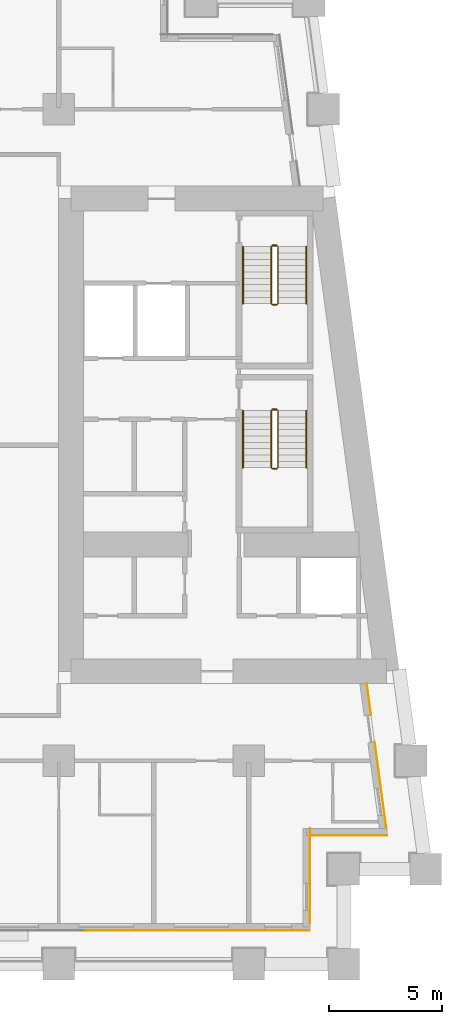
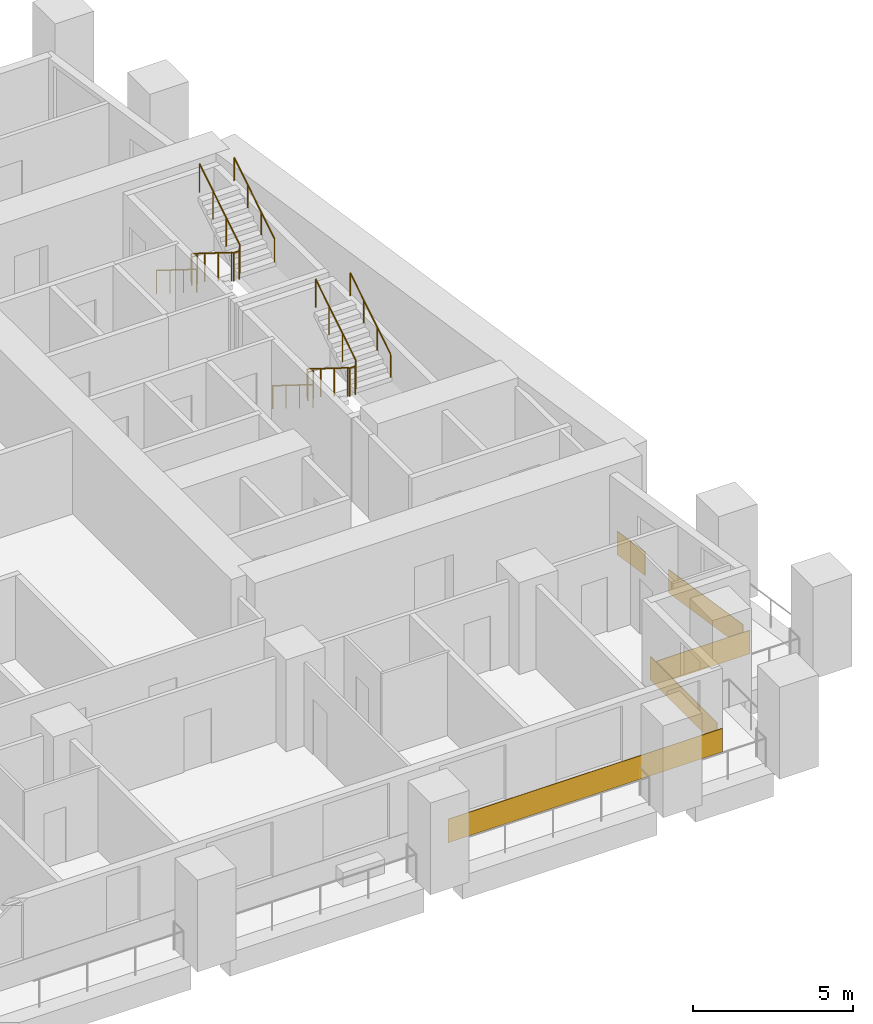
# One storey, part 11 of 13: 8 railings, 5 coverings.
"""IFC4 building model written with IfcOpenShell, lengths in metres."""

import ifcopenshell
import ifcopenshell.guid

model = None  # the IFC model being written
_history = None  # IfcOwnerHistory: only IFC2X3 demands one
_inside = {}  # id of a spatial element -> (the spatial element, [elements in it])
_under = {}  # id of a project, library or spatial element -> (it, [spatial elements below it])
_declared = {}  # id of a project -> (the project, [libraries it declares])
_typed = {}  # id of a type object -> (the type object, [elements of that type])
_made_of = {}  # id of a material, layer set ... -> (it, [elements and type objects made of it])


def new_model(schema):
    """Start an empty IFC model of exactly this schema.

    Asked for "IFC4X3", IfcOpenShell would pick the latest addendum, in which some entities
    have other attributes; the version numbers below select the first issue.
    IFC2X3 requires an IfcOwnerHistory on every rooted entity: one is made here for all.
    """
    global model, _history
    if schema == "IFC4X3":
        model = ifcopenshell.file(schema_version=(4, 3, 0, 0))
    else:
        model = ifcopenshell.file(schema=schema)
    _inside.clear()
    _under.clear()
    _declared.clear()
    _typed.clear()
    _made_of.clear()
    _history = None
    if model.schema == "IFC2X3":
        org = make("IfcOrganization", Name="unknown")
        user = make(
            "IfcPersonAndOrganization",
            ThePerson=make("IfcPerson", FamilyName="unknown"),
            TheOrganization=org,
        )
        app = make(
            "IfcApplication",
            ApplicationDeveloper=org,
            Version="unknown",
            ApplicationFullName="unknown",
            ApplicationIdentifier="unknown",
        )
        _history = make(
            "IfcOwnerHistory",
            OwningUser=user,
            OwningApplication=app,
            ChangeAction="ADDED",
            CreationDate=0,
        )
    return model


def make(cls, **values):
    """One entity of the class cls with the attributes given. An attribute that is None is left unset."""
    return model.create_entity(
        cls, **{name: value for name, value in values.items() if value is not None}
    )


def rooted(cls, **values):
    """An entity with a GlobalId (a new one), such as an element, a storey or a relation."""
    return make(cls, GlobalId=ifcopenshell.guid.new(), OwnerHistory=_history, **values)


def si_unit(unit_type, name, prefix=None):
    """IfcSIUnit, for example si_unit("LENGTHUNIT", "METRE", prefix="MILLI")."""
    return make("IfcSIUnit", UnitType=unit_type, Prefix=prefix, Name=name)


def assignment(units):
    """IfcUnitAssignment: the units of a project."""
    return None if units is None else make("IfcUnitAssignment", Units=units)


def point(xyz):
    """IfcCartesianPoint."""
    return None if xyz is None else make("IfcCartesianPoint", Coordinates=xyz)


def direction(xyz):
    """IfcDirection."""
    return None if xyz is None else make("IfcDirection", DirectionRatios=xyz)


def frame(location, z_axis=None, x_axis=None):
    """IfcAxis2Placement3D, a coordinate frame: its origin and axes. An axis left out is left unset."""
    return make(
        "IfcAxis2Placement3D",
        Location=point(location),
        Axis=direction(z_axis),
        RefDirection=direction(x_axis),
    )


def frame_2d(location, x_axis=None):
    """IfcAxis2Placement2D, a coordinate frame in the plane: its origin and x axis."""
    return make(
        "IfcAxis2Placement2D", Location=point(location), RefDirection=direction(x_axis)
    )


def origin():
    """The frame at (0, 0, 0) with its axes left unset."""
    return frame((0.0, 0.0, 0.0))


def origin_2d():
    """The frame at (0, 0) in the plane with its x axis left unset."""
    return frame_2d((0.0, 0.0))


def place(relative_to, where):
    """IfcLocalPlacement: puts the frame where relative to a parent placement (None: the world)."""
    return make(
        "IfcLocalPlacement", PlacementRelTo=relative_to, RelativePlacement=where
    )


def context(
    kind, dimensions, precision=None, world=None, true_north=None, identifier=None
):
    """IfcGeometricRepresentationContext, for example the 3D "Model" context."""
    return make(
        "IfcGeometricRepresentationContext",
        ContextIdentifier=identifier,
        ContextType=kind,
        CoordinateSpaceDimension=dimensions,
        Precision=precision,
        WorldCoordinateSystem=world,
        TrueNorth=true_north,
    )


def subcontext(parent, identifier, kind, view, scale=None):
    """IfcGeometricRepresentationSubContext, for example "Body" below "Model"."""
    return make(
        "IfcGeometricRepresentationSubContext",
        ContextIdentifier=identifier,
        ContextType=kind,
        ParentContext=parent,
        TargetScale=scale,
        TargetView=view,
    )


def project(units=None, contexts=None):
    """IfcProject with its units and contexts."""
    return rooted(
        "IfcProject",
        Name="project",
        RepresentationContexts=contexts,
        UnitsInContext=assignment(units),
    )


def spatial(cls, under=None, at=None, **own):
    """A site, building, storey or space (cls), placed at a placement, below another one or the project."""
    s = rooted(cls, ObjectPlacement=at, **own)
    if under is not None:
        _under.setdefault(under.id(), (under, []))[1].append(s)
    return s


def profile(cls, at=None, kind="AREA", **sizes):
    """A parametric profile (cls). Its sizes go by their IFC names, for example OverallWidth=200.0."""
    return make(cls, ProfileType=kind, Position=at, **sizes)


def rectangle(**sizes):
    """IfcRectangleProfileDef."""
    return profile("IfcRectangleProfileDef", **sizes)


def circle(**sizes):
    """IfcCircleProfileDef."""
    return profile("IfcCircleProfileDef", **sizes)


def extrude(swept, where, along, depth):
    """IfcExtrudedAreaSolid: the profile swept, set in the frame where, extruded along a direction by depth."""
    return make(
        "IfcExtrudedAreaSolid",
        SweptArea=swept,
        Position=where,
        ExtrudedDirection=direction(along),
        Depth=depth,
    )


def shape(context_of_items, identifier, shape_type, items):
    """IfcShapeRepresentation: the items that make up one representation, for example the "Body"."""
    return make(
        "IfcShapeRepresentation",
        ContextOfItems=context_of_items,
        RepresentationIdentifier=identifier,
        RepresentationType=shape_type,
        Items=items,
    )


def material(Name=None, Category=None):
    """IfcMaterial."""
    return make("IfcMaterial", Name=Name, Category=Category)


def layer(
    of_material, thickness, ventilated=None, Name=None, Category=None, Priority=None
):
    """IfcMaterialLayer: one layer of a wall or slab, of a material (None: an air gap)."""
    return make(
        "IfcMaterialLayer",
        Material=of_material,
        LayerThickness=thickness,
        IsVentilated=ventilated,
        Name=Name,
        Category=Category,
        Priority=Priority,
    )


def layer_set(layers, Name=None):
    """IfcMaterialLayerSet."""
    return make("IfcMaterialLayerSet", MaterialLayers=layers, LayerSetName=Name)


def made_of(thing, what):
    """Note that an element or type object is made of a material, layer set ...; save() writes the relation."""
    if what is not None:
        _made_of.setdefault(what.id(), (what, []))[1].append(thing)
    return thing


def type_object(cls, material=None, **own):
    """A type object (cls), such as IfcWallType, which elements share."""
    return made_of(rooted(cls, **own), material)


def element(
    cls,
    number,
    at=None,
    inside=None,
    cuts=None,
    type_object=None,
    material=None,
    context=None,
    identifier="Body",
    shape_type=None,
    held_by="IfcProductDefinitionShape",
    body=None,
    shapes=None,
    **own,
):
    """One element of the class cls, such as IfcWall. Its Tag is "e" and its number.

    at: its placement. inside: the storey or other place that contains it. cuts: it is an
    opening in that element (IfcRelVoidsElement). A single representation is given by context,
    identifier, shape_type and body (its items); several are given by shapes. held_by: the class
    of the entity that holds the representations. save() writes the other relations.
    """
    e = rooted(cls, Tag="e%d" % number, ObjectPlacement=at, **own)
    if body is not None:
        shapes = [shape(context, identifier, shape_type, body)]
    if shapes is not None:
        e.Representation = make(held_by, Representations=shapes)
    if inside is not None:
        _inside.setdefault(inside.id(), (inside, []))[1].append(e)
    if cuts is not None:
        rooted(
            "IfcRelVoidsElement", RelatingBuildingElement=cuts, RelatedOpeningElement=e
        )
    if type_object is not None:
        _typed.setdefault(type_object.id(), (type_object, []))[1].append(e)
    return made_of(e, material)


def aggregate(whole, parts):
    """IfcRelAggregates: a whole, such as a stair, and the parts it consists of."""
    return rooted("IfcRelAggregates", RelatingObject=whole, RelatedObjects=parts)


def save(model, path):
    """Write the relations noted so far, then the file.

    IfcRelAggregates (storeys below a building ...), IfcRelContainedInSpatialStructure (elements
    in a storey), IfcRelDefinesByType, IfcRelAssociatesMaterial and IfcRelDeclares: one each for
    every whole, place, type object, material and project.
    """
    for whole, parts in _under.values():
        aggregate(whole, parts)
    for where, things in _inside.values():
        rooted(
            "IfcRelContainedInSpatialStructure",
            RelatedElements=things,
            RelatingStructure=where,
        )
    for kind, things in _typed.values():
        rooted("IfcRelDefinesByType", RelatedObjects=things, RelatingType=kind)
    for what, things in _made_of.values():
        rooted("IfcRelAssociatesMaterial", RelatedObjects=things, RelatingMaterial=what)
    for by, libraries in _declared.values():
        rooted("IfcRelDeclares", RelatingContext=by, RelatedDefinitions=libraries)
    model.write(path)


model = new_model("IFC4")

# Units and contexts
model_context = context("Model", 3, precision=1e-05, world=origin(), true_north=direction((0.0, 1.0)))
body_context = subcontext(model_context, "Body", "Model", "MODEL_VIEW")
ifc_project = project(units=[si_unit("LENGTHUNIT", "METRE"), si_unit("AREAUNIT", "SQUARE_METRE"), si_unit("VOLUMEUNIT", "CUBIC_METRE"), si_unit("PLANEANGLEUNIT", "RADIAN"), si_unit("MASSUNIT", "GRAM", prefix="KILO")], contexts=[model_context])

# Site, building, storey
site_placement = place(None, origin())
site = spatial("IfcSite", under=ifc_project, at=site_placement, CompositionType="ELEMENT")
building_placement = place(site_placement, origin())
building = spatial("IfcBuilding", under=site, at=building_placement, Name="Candeia Pilgrim Tower and Theatre", CompositionType="ELEMENT")
storey_placement = place(building_placement, frame((0.0, 0.0, 70.5)))
storey = spatial("IfcBuildingStorey", under=building, at=storey_placement, Name="L15", CompositionType="ELEMENT", Elevation=70.5)

# Coverings
ifc_material_1 = material(Name="Glazed ceramic tile deep red")
ifc_layer = layer(ifc_material_1, 0.02001953125)
ifc_layer_set = layer_set([ifc_layer], Name="Glazed ceramic tile deep red")
covering_type = type_object("IfcCoveringType", Name="Glazed ceramic tile deep red", PredefinedType="CLADDING", material=ifc_layer_set)
covering_1_placement = place(storey_placement, frame((132.14990234375, 99.489990234375, 0.0), z_axis=(0.0, 0.0, 1.0), x_axis=(1.0, 0.0, 0.0)))
element("IfcCovering", 1, at=covering_1_placement, inside=storey, type_object=covering_type, Name="Tile cladding deep red L15", PredefinedType="CLADDING", context=body_context, shape_type="SweptSolid", body=[
    extrude(rectangle(XDim=9.89990234375, YDim=0.02001953125, at=origin_2d()), origin(), (0.0, 0.0, 1.0), 0.89990234375),
])
covering_2_placement = place(storey_placement, frame((137.110107421875, 101.909912109375, 0.0), z_axis=(0.0, 0.0, 1.0), x_axis=(0.0, 1.0, 0.0)))
element("IfcCovering", 2, at=covering_2_placement, inside=storey, type_object=covering_type, Name="Tile cladding deep red L15", PredefinedType="CLADDING", context=body_context, shape_type="SweptSolid", body=[
    extrude(rectangle(XDim=4.179931640625, YDim=0.02001953125, at=origin_2d()), origin(), (0.0, 0.0, 1.0), 0.89990234375),
])
covering_3_placement = place(storey_placement, frame((138.819580078125, 103.68994140625, 0.0), z_axis=(0.0, 0.0, 1.0), x_axis=(1.0, 0.0, 0.0)))
element("IfcCovering", 3, at=covering_3_placement, inside=storey, type_object=covering_type, Name="Tile cladding deep red L15", PredefinedType="CLADDING", context=body_context, shape_type="SweptSolid", body=[
    extrude(rectangle(XDim=3.399169921875, YDim=0.02001953125, at=origin_2d()), origin(), (0.0, 0.0, 1.0), 0.89990234375),
])
covering_4_placement = place(storey_placement, frame((140.228515625, 105.933349609375, 0.0), z_axis=(0.0, 0.0, 1.0), x_axis=(-0.133412012145, 0.991060661622, 0.0)))
element("IfcCovering", 4, at=covering_4_placement, inside=storey, type_object=covering_type, Name="Tile cladding deep red L15", PredefinedType="CLADDING", context=body_context, shape_type="SweptSolid", body=[
    extrude(rectangle(XDim=3.821044921875, YDim=0.02001953125, at=origin_2d()), origin(), (0.0, 0.0, 1.0), 0.89990234375),
])
covering_5_placement = place(storey_placement, frame((139.718994140625, 109.71875, 0.0), z_axis=(0.0, 0.0, 1.0), x_axis=(-0.133412012145, 0.991060661622, 0.0)))
element("IfcCovering", 5, at=covering_5_placement, inside=storey, type_object=covering_type, Name="Tile cladding deep red L15", PredefinedType="CLADDING", context=body_context, shape_type="SweptSolid", body=[
    extrude(rectangle(XDim=1.41796875, YDim=0.02001953125, at=origin_2d()), origin(), (0.0, 0.0, 1.0), 0.89990234375),
])

# Railings
ifc_material_2 = material(Name="Stainless steel balustrade", Category="steel")
railing_type_1 = type_object("IfcRailingType", Name="RL-GUARD-1100", PredefinedType="GUARDRAIL", material=ifc_material_2)
railing_1_placement = place(storey_placement, frame((135.39794921875, 122.47509765625, 0.175048828125)))
element("IfcRailing", 6, at=railing_1_placement, inside=storey, type_object=railing_type_1, Name="L15 ST3 stair guard 1", PredefinedType="GUARDRAIL", context=body_context, shape_type="SweptSolid", body=[
    extrude(circle(Radius=0.02392578125, at=origin_2d()), frame((0.0, 0.0, 1.076171875), z_axis=(0.0, -0.848007534815, 0.529984170421), x_axis=(1.0, 0.0, 0.0)), (0.0, 0.0, 1.0), 2.9716796875),
    extrude(circle(Radius=0.02392578125, at=origin_2d()), frame((0.0, -2.52001953125, 2.65087890625), z_axis=(0.707106781187, -0.707106781187, 0.0), x_axis=(0.707106781187, 0.707106781187, 0.0)), (0.0, 0.0, 1.0), 0.07080078125),
    extrude(circle(Radius=0.02392578125, at=origin_2d()), frame((0.050048828125, -2.570068359375, 2.65087890625), z_axis=(1.0, 0.0, 0.0), x_axis=(0.0, 1.0, 0.0)), (0.0, 0.0, 1.0), 0.199951171875),
    extrude(circle(Radius=0.02392578125, at=origin_2d()), frame((0.25, -2.570068359375, 2.65087890625), z_axis=(0.265065253269, 0.265065253269, 0.927081885822), x_axis=(-0.707106781187, 0.707106781187, 0.0)), (0.0, 0.0, 1.0), 0.188720703125),
    extrude(circle(Radius=0.02392578125, at=origin_2d()), frame((0.300048828125, -2.52001953125, 2.826171875), z_axis=(0.0, 0.848007534815, 0.529984170421), x_axis=(-1.0, 0.0, 0.0)), (0.0, 0.0, 1.0), 2.9716796875),
    extrude(circle(Radius=0.02099609375, at=origin_2d()), origin(), (0.0, 0.0, 1.0), 1.052001953125),
    extrude(circle(Radius=0.02099609375, at=origin_2d()), frame((0.0, -0.840087890625, 0.52490234375)), (0.0, 0.0, 1.0), 1.052001953125),
    extrude(circle(Radius=0.02099609375, at=origin_2d()), frame((0.0, -1.679931640625, 1.050048828125)), (0.0, 0.0, 1.0), 1.052001953125),
    extrude(circle(Radius=0.02099609375, at=origin_2d()), frame((0.0, -2.52001953125, 1.574951171875)), (0.0, 0.0, 1.0), 1.052001953125),
    extrude(circle(Radius=0.02099609375, at=origin_2d()), frame((0.050048828125, -2.570068359375, 1.574951171875)), (0.0, 0.0, 1.0), 1.052001953125),
    extrude(circle(Radius=0.02099609375, at=origin_2d()), frame((0.25, -2.570068359375, 1.574951171875)), (0.0, 0.0, 1.0), 1.052001953125),
    extrude(circle(Radius=0.02099609375, at=origin_2d()), frame((0.300048828125, -2.52001953125, 1.75)), (0.0, 0.0, 1.0), 1.052001953125),
    extrude(circle(Radius=0.02099609375, at=origin_2d()), frame((0.300048828125, -1.679931640625, 2.27490234375)), (0.0, 0.0, 1.0), 1.052001953125),
    extrude(circle(Radius=0.02099609375, at=origin_2d()), frame((0.300048828125, -0.840087890625, 2.800048828125)), (0.0, 0.0, 1.0), 1.052001953125),
    extrude(circle(Radius=0.02099609375, at=origin_2d()), frame((0.300048828125, 0.0, 3.324951171875)), (0.0, 0.0, 1.0), 1.052001953125),
])
railing_2_placement = place(storey_placement, frame((135.447998046875, 122.52490234375, 0.0)))
element("IfcRailing", 7, at=railing_2_placement, inside=storey, type_object=railing_type_1, Name="L15 ST3 stair guard 2", PredefinedType="GUARDRAIL", context=body_context, shape_type="SweptSolid", body=[
    extrude(circle(Radius=0.02392578125, at=origin_2d()), frame((0.0, 0.0, 1.076171875), z_axis=(1.0, 0.0, 0.0), x_axis=(0.0, 1.0, 0.0)), (0.0, 0.0, 1.0), 0.199951171875),
    extrude(circle(Radius=0.02099609375, at=origin_2d()), origin(), (0.0, 0.0, 1.0), 1.052001953125),
    extrude(circle(Radius=0.02099609375, at=origin_2d()), frame((0.199951171875, 0.0, 0.0)), (0.0, 0.0, 1.0), 1.052001953125),
])
railing_3_placement = place(storey_placement, frame((135.39794921875, 129.72509765625, 0.175048828125)))
element("IfcRailing", 8, at=railing_3_placement, inside=storey, type_object=railing_type_1, Name="L15 ST4 stair guard 1", PredefinedType="GUARDRAIL", context=body_context, shape_type="SweptSolid", body=[
    extrude(circle(Radius=0.02392578125, at=origin_2d()), frame((0.0, 0.0, 1.076171875), z_axis=(0.0, -0.848007534815, 0.529984170421), x_axis=(1.0, 0.0, 0.0)), (0.0, 0.0, 1.0), 2.9716796875),
    extrude(circle(Radius=0.02392578125, at=origin_2d()), frame((0.0, -2.52001953125, 2.65087890625), z_axis=(0.707106781187, -0.707106781187, 0.0), x_axis=(0.707106781187, 0.707106781187, 0.0)), (0.0, 0.0, 1.0), 0.07080078125),
    extrude(circle(Radius=0.02392578125, at=origin_2d()), frame((0.050048828125, -2.570068359375, 2.65087890625), z_axis=(1.0, 0.0, 0.0), x_axis=(0.0, 1.0, 0.0)), (0.0, 0.0, 1.0), 0.199951171875),
    extrude(circle(Radius=0.02392578125, at=origin_2d()), frame((0.25, -2.570068359375, 2.65087890625), z_axis=(0.265065253269, 0.265065253269, 0.927081885822), x_axis=(-0.707106781187, 0.707106781187, 0.0)), (0.0, 0.0, 1.0), 0.188720703125),
    extrude(circle(Radius=0.02392578125, at=origin_2d()), frame((0.300048828125, -2.52001953125, 2.826171875), z_axis=(0.0, 0.848007534815, 0.529984170421), x_axis=(-1.0, 0.0, 0.0)), (0.0, 0.0, 1.0), 2.9716796875),
    extrude(circle(Radius=0.02099609375, at=origin_2d()), origin(), (0.0, 0.0, 1.0), 1.052001953125),
    extrude(circle(Radius=0.02099609375, at=origin_2d()), frame((0.0, -0.840087890625, 0.52490234375)), (0.0, 0.0, 1.0), 1.052001953125),
    extrude(circle(Radius=0.02099609375, at=origin_2d()), frame((0.0, -1.679931640625, 1.050048828125)), (0.0, 0.0, 1.0), 1.052001953125),
    extrude(circle(Radius=0.02099609375, at=origin_2d()), frame((0.0, -2.52001953125, 1.574951171875)), (0.0, 0.0, 1.0), 1.052001953125),
    extrude(circle(Radius=0.02099609375, at=origin_2d()), frame((0.050048828125, -2.570068359375, 1.574951171875)), (0.0, 0.0, 1.0), 1.052001953125),
    extrude(circle(Radius=0.02099609375, at=origin_2d()), frame((0.25, -2.570068359375, 1.574951171875)), (0.0, 0.0, 1.0), 1.052001953125),
    extrude(circle(Radius=0.02099609375, at=origin_2d()), frame((0.300048828125, -2.52001953125, 1.75)), (0.0, 0.0, 1.0), 1.052001953125),
    extrude(circle(Radius=0.02099609375, at=origin_2d()), frame((0.300048828125, -1.679931640625, 2.27490234375)), (0.0, 0.0, 1.0), 1.052001953125),
    extrude(circle(Radius=0.02099609375, at=origin_2d()), frame((0.300048828125, -0.840087890625, 2.800048828125)), (0.0, 0.0, 1.0), 1.052001953125),
    extrude(circle(Radius=0.02099609375, at=origin_2d()), frame((0.300048828125, 0.0, 3.324951171875)), (0.0, 0.0, 1.0), 1.052001953125),
])
railing_4_placement = place(storey_placement, frame((135.447998046875, 129.77490234375, 0.0)))
element("IfcRailing", 9, at=railing_4_placement, inside=storey, type_object=railing_type_1, Name="L15 ST4 stair guard 2", PredefinedType="GUARDRAIL", context=body_context, shape_type="SweptSolid", body=[
    extrude(circle(Radius=0.02392578125, at=origin_2d()), frame((0.0, 0.0, 1.076171875), z_axis=(1.0, 0.0, 0.0), x_axis=(0.0, 1.0, 0.0)), (0.0, 0.0, 1.0), 0.199951171875),
    extrude(circle(Radius=0.02099609375, at=origin_2d()), origin(), (0.0, 0.0, 1.0), 1.052001953125),
    extrude(circle(Radius=0.02099609375, at=origin_2d()), frame((0.199951171875, 0.0, 0.0)), (0.0, 0.0, 1.0), 1.052001953125),
])
ifc_material_3 = material(Name="Stainless steel handrail", Category="steel")
railing_type_2 = type_object("IfcRailingType", Name="RL-HANDRAIL-900", PredefinedType="HANDRAIL", material=ifc_material_3)
railing_5_placement = place(storey_placement, frame((134.14794921875, 122.47509765625, 0.175048828125)))
element("IfcRailing", 10, at=railing_5_placement, inside=storey, type_object=railing_type_2, Name="L15 ST3 stair handrail 1", PredefinedType="HANDRAIL", context=body_context, shape_type="SweptSolid", body=[
    extrude(circle(Radius=0.02392578125, at=origin_2d()), frame((0.0, 0.0, 0.8759765625), z_axis=(0.0, -0.848007534815, 0.529984170421), x_axis=(1.0, 0.0, 0.0)), (0.0, 0.0, 1.0), 2.9716796875),
    extrude(circle(Radius=0.02099609375, at=origin_2d()), origin(), (0.0, 0.0, 1.0), 0.851806640625),
    extrude(circle(Radius=0.02099609375, at=origin_2d()), frame((0.0, -0.840087890625, 0.52490234375)), (0.0, 0.0, 1.0), 0.851806640625),
    extrude(circle(Radius=0.02099609375, at=origin_2d()), frame((0.0, -1.679931640625, 1.050048828125)), (0.0, 0.0, 1.0), 0.851806640625),
    extrude(circle(Radius=0.02099609375, at=origin_2d()), frame((0.0, -2.52001953125, 1.574951171875)), (0.0, 0.0, 1.0), 0.851806640625),
])
railing_6_placement = place(storey_placement, frame((136.947998046875, 119.955078125, 1.925048828125)))
element("IfcRailing", 11, at=railing_6_placement, inside=storey, type_object=railing_type_2, Name="L15 ST3 stair handrail 2", PredefinedType="HANDRAIL", context=body_context, shape_type="SweptSolid", body=[
    extrude(circle(Radius=0.02392578125, at=origin_2d()), frame((0.0, 0.0, 0.8759765625), z_axis=(0.0, 0.848007534815, 0.529984170421), x_axis=(-1.0, 0.0, 0.0)), (0.0, 0.0, 1.0), 2.9716796875),
    extrude(circle(Radius=0.02099609375, at=origin_2d()), origin(), (0.0, 0.0, 1.0), 0.851806640625),
    extrude(circle(Radius=0.02099609375, at=origin_2d()), frame((0.0, 0.840087890625, 0.52490234375)), (0.0, 0.0, 1.0), 0.851806640625),
    extrude(circle(Radius=0.02099609375, at=origin_2d()), frame((0.0, 1.679931640625, 1.050048828125)), (0.0, 0.0, 1.0), 0.851806640625),
    extrude(circle(Radius=0.02099609375, at=origin_2d()), frame((0.0, 2.52001953125, 1.574951171875)), (0.0, 0.0, 1.0), 0.851806640625),
])
railing_7_placement = place(storey_placement, frame((134.14794921875, 129.72509765625, 0.175048828125)))
element("IfcRailing", 12, at=railing_7_placement, inside=storey, type_object=railing_type_2, Name="L15 ST4 stair handrail 1", PredefinedType="HANDRAIL", context=body_context, shape_type="SweptSolid", body=[
    extrude(circle(Radius=0.02392578125, at=origin_2d()), frame((0.0, 0.0, 0.8759765625), z_axis=(0.0, -0.848007534815, 0.529984170421), x_axis=(1.0, 0.0, 0.0)), (0.0, 0.0, 1.0), 2.9716796875),
    extrude(circle(Radius=0.02099609375, at=origin_2d()), origin(), (0.0, 0.0, 1.0), 0.851806640625),
    extrude(circle(Radius=0.02099609375, at=origin_2d()), frame((0.0, -0.840087890625, 0.52490234375)), (0.0, 0.0, 1.0), 0.851806640625),
    extrude(circle(Radius=0.02099609375, at=origin_2d()), frame((0.0, -1.679931640625, 1.050048828125)), (0.0, 0.0, 1.0), 0.851806640625),
    extrude(circle(Radius=0.02099609375, at=origin_2d()), frame((0.0, -2.52001953125, 1.574951171875)), (0.0, 0.0, 1.0), 0.851806640625),
])
railing_8_placement = place(storey_placement, frame((136.947998046875, 127.205078125, 1.925048828125)))
element("IfcRailing", 13, at=railing_8_placement, inside=storey, type_object=railing_type_2, Name="L15 ST4 stair handrail 2", PredefinedType="HANDRAIL", context=body_context, shape_type="SweptSolid", body=[
    extrude(circle(Radius=0.02392578125, at=origin_2d()), frame((0.0, 0.0, 0.8759765625), z_axis=(0.0, 0.848007534815, 0.529984170421), x_axis=(-1.0, 0.0, 0.0)), (0.0, 0.0, 1.0), 2.9716796875),
    extrude(circle(Radius=0.02099609375, at=origin_2d()), origin(), (0.0, 0.0, 1.0), 0.851806640625),
    extrude(circle(Radius=0.02099609375, at=origin_2d()), frame((0.0, 0.840087890625, 0.52490234375)), (0.0, 0.0, 1.0), 0.851806640625),
    extrude(circle(Radius=0.02099609375, at=origin_2d()), frame((0.0, 1.679931640625, 1.050048828125)), (0.0, 0.0, 1.0), 0.851806640625),
    extrude(circle(Radius=0.02099609375, at=origin_2d()), frame((0.0, 2.52001953125, 1.574951171875)), (0.0, 0.0, 1.0), 0.851806640625),
])

save(model, "model.ifc")
